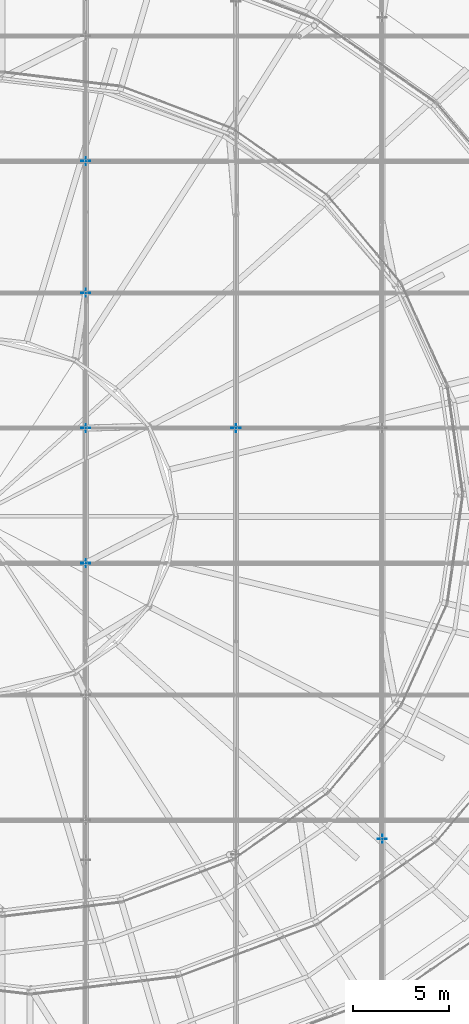
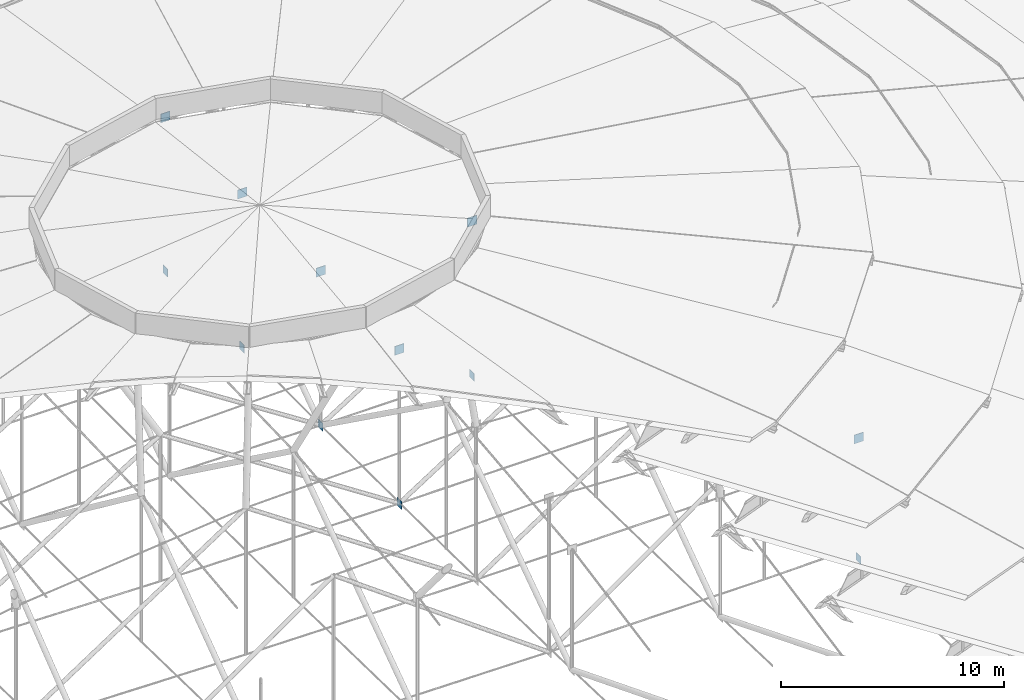
# One storey, part 164 of 173: 12 plates.
"""IFC4 building model written with IfcOpenShell, lengths in metres."""

from ifc_helpers import new_model, si_unit, direction, frame, origin, origin_2d, place, context, subcontext, project, spatial, rectangle, extrude, material, layer, layer_set, type_object, element, save


model = new_model("IFC4")

# Units and contexts
model_context = context("Model", 3, precision=1e-05, world=origin(), true_north=direction((0.0, 1.0)))
body_context = subcontext(model_context, "Body", "Model", "MODEL_VIEW")
ifc_project = project(units=[si_unit("LENGTHUNIT", "METRE"), si_unit("AREAUNIT", "SQUARE_METRE"), si_unit("VOLUMEUNIT", "CUBIC_METRE"), si_unit("PLANEANGLEUNIT", "RADIAN"), si_unit("MASSUNIT", "GRAM", prefix="KILO")], contexts=[model_context])

# Site, building, storey
site_placement = place(None, origin())
site = spatial("IfcSite", under=ifc_project, at=site_placement, CompositionType="ELEMENT")
building_placement = place(site_placement, origin())
building = spatial("IfcBuilding", under=site, at=building_placement, Name="Glasvene Arena", CompositionType="ELEMENT")
storey_placement = place(building_placement, frame((0.0, 0.0, 28.800048828125)))
storey = spatial("IfcBuildingStorey", under=building, at=storey_placement, Name="RF", CompositionType="ELEMENT", Elevation=28.800048828125)

# Plates
ifc_material = material(Name="Steel S355J2", Category="steel")
ifc_layer_1 = layer(ifc_material, 0.031982421875)
ifc_layer_set_1 = layer_set([ifc_layer_1], Name="Steel S355J2")
plate_type_1 = type_object("IfcPlateType", Name="PL-GUSSET-32", PredefinedType="USERDEFINED", material=ifc_layer_set_1)
for number, where, z_axis, x_axis, name in (
    (1, (107.45068359375, 51.601318359375, 4.23291015625), (0.0, 0.0, 1.0), (1.0, 0.0, 0.0), "Cable-node clamp gusset plate CG-NS03-02"),
    (2, (99.82177734375, 73.0, 5.780029296875), (0.0, 0.0, 1.0), (1.0, 0.0, 0.0), "Cable-node clamp gusset plate CG-NS04-04"),
    (3, (92.0, 73.0, 5.780029296875), (0.0, 0.0, 1.0), (1.0, 0.0, 0.0), "Cable-node clamp gusset plate CG-NS05-04"),
    (4, (92.0, 65.96044921875, 5.780029296875), (0.0, 0.0, 1.0), (1.0, 0.0, 0.0), "Cable-node clamp gusset plate CG-EW03-04"),
    (5, (92.0, 80.03955078125, 5.780029296875), (0.0, 0.0, 1.0), (1.0, 0.0, 0.0), "Cable-node clamp gusset plate CG-EW05-04"),
    (6, (92.0, 86.90576171875, 5.780029296875), (0.0, 0.0, 1.0), (1.0, 0.0, 0.0), "Cable-node clamp gusset plate CG-EW06-04"),
):
    element("IfcPlate", number, at=place(storey_placement, frame(where, z_axis=z_axis, x_axis=x_axis)), inside=storey, type_object=plate_type_1, Name=name, ObjectType="GUSSET PLATE", PredefinedType="USERDEFINED", context=body_context, shape_type="SweptSolid", body=[
        extrude(rectangle(XDim=0.47998046875, YDim=0.031982421875, at=origin_2d()), origin(), (0.0, 0.0, 1.0), 0.47998046875),
    ])
ifc_layer_2 = layer(ifc_material, 0.02001953125)
ifc_layer_set_2 = layer_set([ifc_layer_2], Name="Steel S355J2")
plate_type_2 = type_object("IfcPlateType", Name="PL-STIFF-20", PredefinedType="USERDEFINED", material=ifc_layer_set_2)
for number, where, z_axis, x_axis, name in (
    (7, (107.45068359375, 51.601318359375, -2.322509765625), (0.0, 0.0, 1.0), (1.0, 0.0, 0.0), "Lower cable clamp stiffener plate CS-NS03-02"),
    (8, (99.82177734375, 73.0, -2.610107421875), (0.0, 0.0, 1.0), (1.0, 0.0, 0.0), "Lower cable clamp stiffener plate CS-NS04-04"),
    (9, (92.0, 73.0, -2.610107421875), (0.0, 0.0, 1.0), (1.0, 0.0, 0.0), "Lower cable clamp stiffener plate CS-NS05-04"),
    (10, (92.0, 65.96044921875, -2.610107421875), (0.0, 0.0, 1.0), (1.0, 0.0, 0.0), "Lower cable clamp stiffener plate CS-EW03-04"),
    (11, (92.0, 80.03955078125, -2.610107421875), (0.0, 0.0, 1.0), (1.0, 0.0, 0.0), "Lower cable clamp stiffener plate CS-EW05-04"),
    (12, (92.0, 86.90576171875, -2.610107421875), (0.0, 0.0, 1.0), (1.0, 0.0, 0.0), "Lower cable clamp stiffener plate CS-EW06-04"),
):
    element("IfcPlate", number, at=place(storey_placement, frame(where, z_axis=z_axis, x_axis=x_axis)), inside=storey, type_object=plate_type_2, Name=name, ObjectType="GUSSET PLATE", PredefinedType="USERDEFINED", context=body_context, shape_type="SweptSolid", body=[
        extrude(rectangle(XDim=0.02001953125, YDim=0.419921875, at=origin_2d()), origin(), (0.0, 0.0, 1.0), 0.419921875),
    ])

save(model, "model.ifc")
